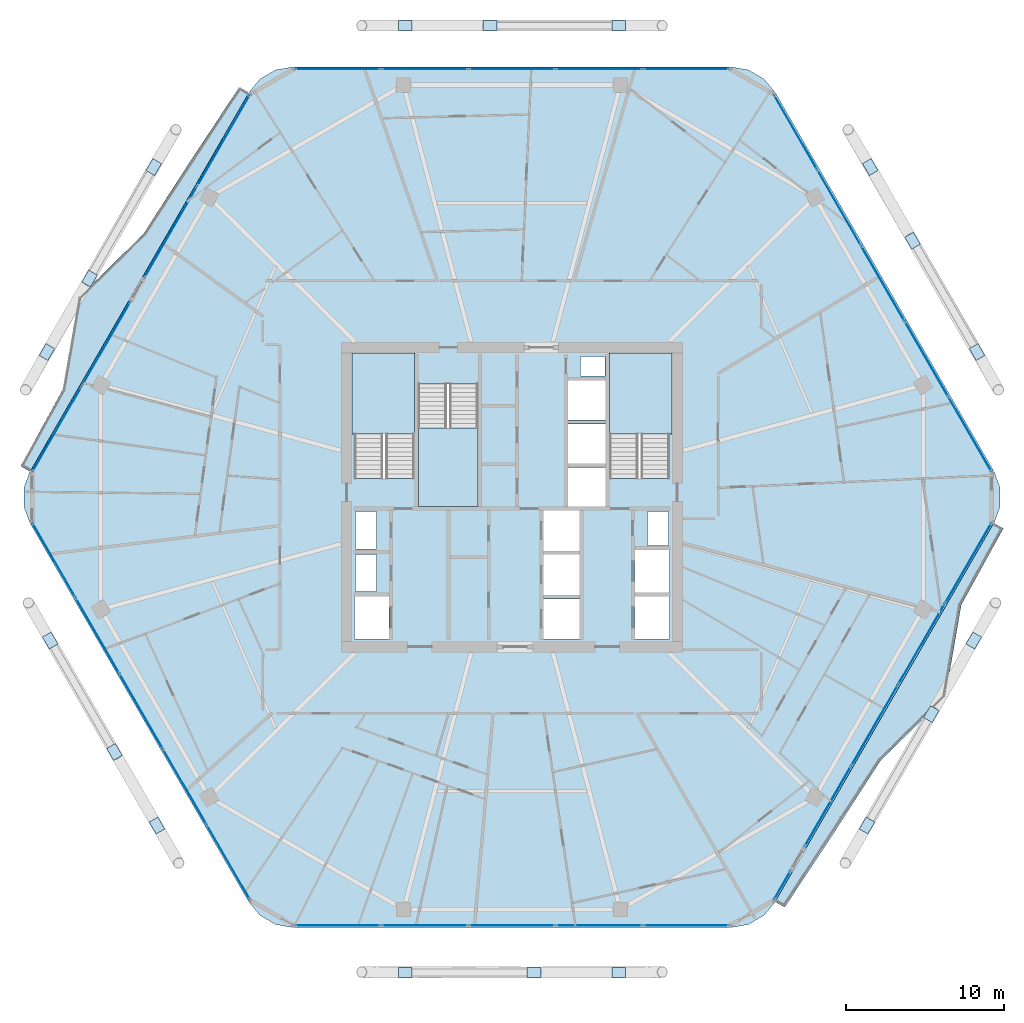
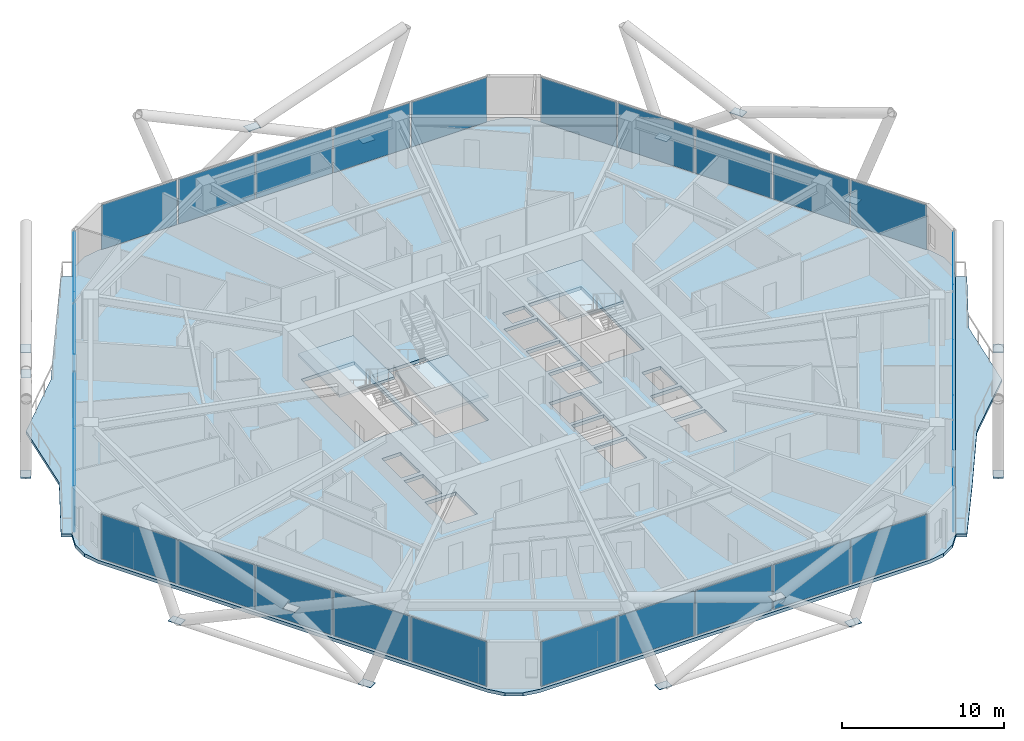
# One storey, part 19 of 28: 47 plates, 6 slabs, 11 elements without a shape of their own.
"""IFC4 building model written with IfcOpenShell, lengths in metres."""

from ifc_helpers import new_model, si_unit, direction, frame, origin, origin_2d, place, context, subcontext, project, spatial, polyline, rectangle, outline, extrude, material, layer, layer_set, type_object, element, aggregate, save


model = new_model("IFC4")

# Units and contexts
model_context = context("Model", 3, precision=1e-05, world=origin(), true_north=direction((0.0, 1.0)))
body_context = subcontext(model_context, "Body", "Model", "MODEL_VIEW")
ifc_project = project(units=[si_unit("LENGTHUNIT", "METRE"), si_unit("AREAUNIT", "SQUARE_METRE"), si_unit("VOLUMEUNIT", "CUBIC_METRE"), si_unit("PLANEANGLEUNIT", "RADIAN"), si_unit("MASSUNIT", "GRAM", prefix="KILO")], contexts=[model_context])

# Site, building, storey
site_placement = place(None, origin())
site = spatial("IfcSite", under=ifc_project, at=site_placement, CompositionType="ELEMENT")
building_placement = place(site_placement, origin())
building = spatial("IfcBuilding", under=site, at=building_placement, Name="Zuhravey Tower", CompositionType="ELEMENT")
storey_placement = place(building_placement, frame((0.0, 0.0, 199.800048828125)))
storey = spatial("IfcBuildingStorey", under=building, at=storey_placement, Name="L50", CompositionType="ELEMENT", Elevation=199.800048828125)

# Plates
ifc_material_1 = material(Name="Steel SM460", Category="steel")
ifc_layer_1 = layer(ifc_material_1, 0.035888671875)
ifc_layer_set_1 = layer_set([ifc_layer_1], Name="Steel SM460")
plate_type_1 = type_object("IfcPlateType", Name="Exoskeleton Zone 2 Node Plate ND2", PredefinedType="SHEET", material=ifc_layer_set_1)
for number, where, z_axis, x_axis, name in (
    (1, (65.52978515625, 41.218994140625, -0.48193359375), (0.0, 0.0, 1.0), (-0.5, 0.866025403784, 0.0), "L50 Exoskeleton Node Gusset L50-01"),
    (2, (58.748779296875, 52.964111328125, -0.48193359375), (0.0, 0.0, 1.0), (-0.5, 0.866025403784, 0.0), "L50 Exoskeleton Node Gusset L50-02"),
    (3, (42.781005859375, 61.943115234375, -0.48193359375), (0.0, 0.0, 1.0), (-1.0, 0.0, 0.0), "L50 Exoskeleton Node Gusset L50-03"),
    (4, (29.218994140625, 61.943115234375, -0.48193359375), (0.0, 0.0, 1.0), (-1.0, 0.0, 0.0), "L50 Exoskeleton Node Gusset L50-04"),
    (5, (13.251220703125, 52.964111328125, -0.48193359375), (0.0, 0.0, 1.0), (-0.5, -0.866025403784, 0.0), "L50 Exoskeleton Node Gusset L50-05"),
    (6, (6.47021484375, 41.218994140625, -0.48193359375), (0.0, 0.0, 1.0), (-0.5, -0.866025403784, 0.0), "L50 Exoskeleton Node Gusset L50-06"),
    (7, (6.677978515625, 22.90087890625, -0.48193359375), (0.0, 0.0, 1.0), (0.5, -0.866025403784, 0.0), "L50 Exoskeleton Node Gusset L50-07"),
    (8, (13.458984375, 11.156005859375, -0.48193359375), (0.0, 0.0, 1.0), (0.5, -0.866025403784, 0.0), "L50 Exoskeleton Node Gusset L50-08"),
    (9, (29.218994140625, 1.81689453125, -0.48193359375), (0.0, 0.0, 1.0), (1.0, 0.0, 0.0), "L50 Exoskeleton Node Gusset L50-09"),
    (10, (42.781005859375, 1.81689453125, -0.48193359375), (0.0, 0.0, 1.0), (1.0, 0.0, 0.0), "L50 Exoskeleton Node Gusset L50-10"),
    (11, (58.541015625, 11.156005859375, -0.48193359375), (0.0, 0.0, 1.0), (0.5, 0.866025403784, 0.0), "L50 Exoskeleton Node Gusset L50-11"),
    (12, (65.322021484375, 22.90087890625, -0.48193359375), (0.0, 0.0, 1.0), (0.5, 0.866025403784, 0.0), "L50 Exoskeleton Node Gusset L50-12"),
    (13, (61.432861328125, 48.28515625, 3.31787109375), (0.0, 0.0, 1.0), (-0.5, 0.866025403784, 0.0), "L50 Face 1 Diagrid X-Crossing Plate"),
    (14, (34.613037109375, 61.943115234375, 3.31787109375), (0.0, 0.0, 1.0), (-1.0, 0.0, 0.0), "L50 Face 2 Diagrid X-Crossing Plate"),
    (15, (9.18017578125, 45.8828125, 3.31787109375), (0.0, 0.0, 1.0), (-0.5, -0.866025403784, 0.0), "L50 Face 3 Diagrid X-Crossing Plate"),
    (16, (10.761962890625, 15.8271484375, 3.31787109375), (0.0, 0.0, 1.0), (0.5, -0.866025403784, 0.0), "L50 Face 4 Diagrid X-Crossing Plate"),
    (17, (37.386962890625, 1.831787109375, 3.31787109375), (0.0, 0.0, 1.0), (1.0, 0.0, 0.0), "L50 Face 5 Diagrid X-Crossing Plate"),
    (18, (62.625, 18.2294921875, 3.31787109375), (0.0, 0.0, 1.0), (0.5, 0.866025403784, 0.0), "L50 Face 6 Diagrid X-Crossing Plate"),
):
    element("IfcPlate", number, at=place(storey_placement, frame(where, z_axis=z_axis, x_axis=x_axis)), inside=storey, type_object=plate_type_1, Name=name, PredefinedType="SHEET", context=body_context, shape_type="SweptSolid", body=[
        extrude(rectangle(XDim=0.8798828125, YDim=0.639892578125, at=origin_2d()), origin(), (0.0, 0.0, 1.0), 0.035888671875),
    ])

# Slabs
ifc_material_2 = material(Name="Concrete C50/60", Category="concrete")
ifc_layer_2 = layer(ifc_material_2, 0.25)
ifc_layer_set_2 = layer_set([ifc_layer_2], Name="Concrete C50/60")
slab_type_1 = type_object("IfcSlabType", Name="Residential Acoustic Slab 250", PredefinedType="FLOOR", material=ifc_layer_set_2)
slab_1_placement = place(storey_placement, frame((0.0, 0.0, -0.25)))
element("IfcSlab", 19, at=slab_1_placement, inside=storey, type_object=slab_type_1, Name="L50 Floor Slab FS25", PredefinedType="FLOOR", context=body_context, shape_type="SweptSolid", body=[
    extrude(outline(polyline([(66.61181640625, 30.375), (66.997802734375, 31.435546875), (66.997802734375, 32.564453125), (66.61181640625, 33.625), (52.713134765625, 57.697998046875), (51.98779296875, 58.562744140625), (51.01025390625, 59.127197265625), (49.898681640625, 59.322998046875), (22.101318359375, 59.322998046875), (20.98974609375, 59.127197265625), (20.01220703125, 58.562744140625), (19.286865234375, 57.697998046875), (5.38818359375, 33.625), (5.002197265625, 32.564453125), (5.002197265625, 31.435546875), (5.38818359375, 30.375), (19.286865234375, 6.302001953125), (20.01220703125, 5.437255859375), (20.98974609375, 4.872802734375), (22.101318359375, 4.677001953125), (49.898681640625, 4.677001953125), (51.01025390625, 4.872802734375), (51.98779296875, 5.437255859375), (52.713134765625, 6.302001953125), (66.61181640625, 30.375)]), holes=[polyline([(29.800048828125, 33.20068359375), (29.800048828125, 41.0), (26.0, 41.0), (26.0, 33.20068359375), (29.800048828125, 33.20068359375)]), polyline([(46.0, 33.20068359375), (46.0, 41.0), (42.199951171875, 41.0), (42.199951171875, 33.20068359375), (46.0, 33.20068359375)]), polyline([(30.050048828125, 39.199462890625), (30.050048828125, 31.39990234375), (33.85009765625, 31.39990234375), (33.85009765625, 39.199462890625), (30.050048828125, 39.199462890625)]), polyline([(38.0, 23.0), (40.300048828125, 23.0), (40.300048828125, 25.550048828125), (38.0, 25.550048828125), (38.0, 23.0)]), polyline([(38.0, 25.800048828125), (40.300048828125, 25.800048828125), (40.300048828125, 28.35009765625), (38.0, 28.35009765625), (38.0, 25.800048828125)]), polyline([(38.0, 28.60009765625), (40.300048828125, 28.60009765625), (40.300048828125, 31.14990234375), (38.0, 31.14990234375), (38.0, 28.60009765625)]), polyline([(39.550048828125, 31.39990234375), (41.949951171875, 31.39990234375), (41.949951171875, 33.89990234375), (39.550048828125, 33.89990234375), (39.550048828125, 31.39990234375)]), polyline([(39.550048828125, 34.14990234375), (41.949951171875, 34.14990234375), (41.949951171875, 36.64990234375), (39.550048828125, 36.64990234375), (39.550048828125, 34.14990234375)]), polyline([(39.550048828125, 36.89990234375), (41.949951171875, 36.89990234375), (41.949951171875, 39.39990234375), (39.550048828125, 39.39990234375), (39.550048828125, 36.89990234375)]), polyline([(26.0, 23.0), (28.199951171875, 23.0), (28.199951171875, 25.699951171875), (26.0, 25.699951171875), (26.0, 23.0)]), polyline([(43.800048828125, 23.0), (46.0, 23.0), (46.0, 25.699951171875), (43.800048828125, 25.699951171875), (43.800048828125, 23.0)]), polyline([(43.800048828125, 25.949951171875), (46.0, 25.949951171875), (46.0, 28.64990234375), (43.800048828125, 28.64990234375), (43.800048828125, 25.949951171875)]), polyline([(26.050048828125, 26.0), (27.39990234375, 26.0), (27.39990234375, 28.35009765625), (26.050048828125, 28.35009765625), (26.050048828125, 26.0)]), polyline([(26.050048828125, 28.699951171875), (27.39990234375, 28.699951171875), (27.39990234375, 31.10009765625), (26.050048828125, 31.10009765625), (26.050048828125, 28.699951171875)]), polyline([(44.60009765625, 28.949951171875), (45.949951171875, 28.949951171875), (45.949951171875, 31.10009765625), (44.60009765625, 31.10009765625), (44.60009765625, 28.949951171875)]), polyline([(40.35009765625, 39.699951171875), (41.89990234375, 39.699951171875), (41.89990234375, 40.949951171875), (40.35009765625, 40.949951171875), (40.35009765625, 39.699951171875)])]), origin(), (0.0, 0.0, 1.0), 0.25),
])
ifc_material_3 = material(Name="Concrete C40/50", Category="concrete")
ifc_layer_3 = layer(ifc_material_3, 0.219970703125)
ifc_layer_set_3 = layer_set([ifc_layer_3], Name="Concrete C40/50")
slab_type_2 = type_object("IfcSlabType", Name="Sinusoidal Residential Wave Balcony 220", PredefinedType="FLOOR", material=ifc_layer_set_3)
slab_2_placement = place(storey_placement, frame((0.0, 0.0, -0.219970703125)))
element("IfcSlab", 20, at=slab_2_placement, inside=storey, type_object=slab_type_2, Name="L50 Face 3 Wave Balcony WB22", PredefinedType="FLOOR", context=body_context, shape_type="SweptSolid", body=[
    extrude(outline(polyline([(19.29541015625, 57.68310546875), (5.405517578125, 33.625), (4.79931640625, 33.97509765625), (7.477294921875, 38.844482421875), (8.485107421875, 44.677978515625), (12.59912109375, 48.71826171875), (15.6142578125, 53.39306640625), (18.689208984375, 58.033203125), (19.29541015625, 57.68310546875)])), origin(), (0.0, 0.0, 1.0), 0.219970703125),
])
slab_3_placement = place(storey_placement, frame((0.0, 0.0, -0.219970703125)))
element("IfcSlab", 21, at=slab_3_placement, inside=storey, type_object=slab_type_2, Name="L50 Face 6 Wave Balcony WB22", PredefinedType="FLOOR", context=body_context, shape_type="SweptSolid", body=[
    extrude(outline(polyline([(52.70458984375, 6.31689453125), (66.594482421875, 30.375), (67.20068359375, 30.02490234375), (64.522705078125, 25.155517578125), (63.514892578125, 19.322021484375), (59.40087890625, 15.28173828125), (56.3857421875, 10.60693359375), (53.310791015625, 5.966796875), (52.70458984375, 6.31689453125)])), origin(), (0.0, 0.0, 1.0), 0.219970703125),
])

# Stair, slab
stair_type = type_object("IfcStairType", Name="Housing Storey Stair Assembly 3800", PredefinedType="HALF_TURN_STAIR", material=ifc_material_3)
stair_1_placement = place(storey_placement, origin())
stair_1 = element("IfcStair", 22, at=stair_1_placement, inside=storey, type_object=stair_type, Name="L50 Core Exit Stair ST1", PredefinedType="HALF_TURN_STAIR")
ifc_layer_4 = layer(ifc_material_3, 0.199951171875)
ifc_layer_set_4 = layer_set([ifc_layer_4], Name="Concrete C40/50")
slab_type_3 = type_object("IfcSlabType", Name="Stair Landing Slab 200", PredefinedType="LANDING", material=ifc_layer_set_4)
slab_4_placement = place(storey_placement, frame((0.0, 0.0, 1.699951171875)))
slab_4 = element("IfcSlab", 23, at=slab_4_placement, type_object=slab_type_3, Name="ST1 landing 1", PredefinedType="LANDING", context=body_context, shape_type="SweptSolid", body=[
    extrude(outline(polyline([(29.800048828125, 36.0), (29.800048828125, 41.14794921875), (25.85205078125, 41.14794921875), (25.85205078125, 36.0), (29.800048828125, 36.0)])), origin(), (0.0, 0.0, 1.0), 0.199951171875),
])
aggregate(stair_1, [slab_4])

stair_2_placement = place(storey_placement, origin())
stair_2 = element("IfcStair", 24, at=stair_2_placement, inside=storey, type_object=stair_type, Name="L50 Core Exit Stair ST2", PredefinedType="HALF_TURN_STAIR")
slab_5_placement = place(storey_placement, frame((0.0, 0.0, 1.699951171875)))
slab_5 = element("IfcSlab", 25, at=slab_5_placement, type_object=slab_type_3, Name="ST2 landing 1", PredefinedType="LANDING", context=body_context, shape_type="SweptSolid", body=[
    extrude(outline(polyline([(46.14794921875, 36.0), (46.14794921875, 41.14794921875), (42.199951171875, 41.14794921875), (42.199951171875, 36.0), (46.14794921875, 36.0)])), origin(), (0.0, 0.0, 1.0), 0.199951171875),
])
aggregate(stair_2, [slab_5])

stair_3_placement = place(storey_placement, origin())
stair_3 = element("IfcStair", 26, at=stair_3_placement, inside=storey, type_object=stair_type, Name="L50 Core Exit Stair ST3", PredefinedType="HALF_TURN_STAIR")
slab_6_placement = place(storey_placement, frame((0.0, 0.0, 1.699951171875)))
slab_6 = element("IfcSlab", 27, at=slab_6_placement, type_object=slab_type_3, Name="ST3 landing 1", PredefinedType="LANDING", context=body_context, shape_type="SweptSolid", body=[
    extrude(outline(polyline([(30.050048828125, 36.39990234375), (30.050048828125, 31.39990234375), (33.85009765625, 31.39990234375), (33.85009765625, 36.39990234375), (30.050048828125, 36.39990234375)])), origin(), (0.0, 0.0, 1.0), 0.199951171875),
])
aggregate(stair_3, [slab_6])

# Curtain wall, plates
ifc_material_4 = material(Name="Thermally broken anodised aluminium", Category="aluminium")
curtain_wall_type = type_object("IfcCurtainWallType", Name="Zone 1-2 Residential Curtain Wall CW3", PredefinedType="NOTDEFINED", material=ifc_material_4)
curtain_wall_1_placement = place(storey_placement, origin())
curtain_wall_1 = element("IfcCurtainWall", 28, at=curtain_wall_1_placement, inside=storey, type_object=curtain_wall_type, Name="L50 CW3 CW-L50-F6-1", PredefinedType="NOTDEFINED")
ifc_material_5 = material(Name="Triple low-E insulated vision glass", Category="glass")
ifc_layer_5 = layer(ifc_material_5, 0.0419921875)
ifc_layer_set_5 = layer_set([ifc_layer_5], Name="Triple low-E insulated vision glass")
plate_type_2 = type_object("IfcPlateType", Name="Triple Low-E Vision Panel", PredefinedType="CURTAIN_PANEL", material=ifc_layer_set_5)
plate_1_placement = place(storey_placement, frame((64.971435546875, 27.813720703125, 0.08984375), z_axis=(0.0, 0.0, 1.0), x_axis=(-0.500000256078, -0.866025255938, 0.0)))
plate_1 = element("IfcPlate", 29, at=plate_1_placement, type_object=plate_type_2, Name="CW3 panel 1.1", PredefinedType="CURTAIN_PANEL", context=body_context, shape_type="SweptSolid", body=[
    extrude(rectangle(XDim=5.82177734375, YDim=0.0419921875, at=origin_2d()), origin(), (0.0, 0.0, 1.0), 3.3701171875),
])
plate_2_placement = place(storey_placement, frame((62.00439453125, 22.674560546875, 0.08984375), z_axis=(0.0, 0.0, 1.0), x_axis=(-0.500000256078, -0.866025255938, 0.0)))
plate_2 = element("IfcPlate", 30, at=plate_2_placement, type_object=plate_type_2, Name="CW3 panel 2.1", PredefinedType="CURTAIN_PANEL", context=body_context, shape_type="SweptSolid", body=[
    extrude(rectangle(XDim=5.86669921875, YDim=0.0419921875, at=origin_2d()), origin(), (0.0, 0.0, 1.0), 3.3701171875),
])
plate_3_placement = place(storey_placement, frame((59.02587890625, 17.515869140625, 0.08984375), z_axis=(0.0, 0.0, 1.0), x_axis=(-0.500000256078, -0.866025255938, 0.0)))
plate_3 = element("IfcPlate", 31, at=plate_3_placement, type_object=plate_type_2, Name="CW3 panel 3.1", PredefinedType="CURTAIN_PANEL", context=body_context, shape_type="SweptSolid", body=[
    extrude(rectangle(XDim=5.86669921875, YDim=0.0419921875, at=origin_2d()), origin(), (0.0, 0.0, 1.0), 3.3701171875),
])
plate_4_placement = place(storey_placement, frame((56.058837890625, 12.376708984375, 0.08984375), z_axis=(0.0, 0.0, 1.0), x_axis=(-0.500000256078, -0.866025255938, 0.0)))
plate_4 = element("IfcPlate", 32, at=plate_4_placement, type_object=plate_type_2, Name="CW3 panel 4.1", PredefinedType="CURTAIN_PANEL", context=body_context, shape_type="SweptSolid", body=[
    extrude(rectangle(XDim=5.82177734375, YDim=0.0419921875, at=origin_2d()), origin(), (0.0, 0.0, 1.0), 3.3701171875),
])
aggregate(curtain_wall_1, [plate_1, plate_2, plate_3, plate_4])

# Curtain wall, plate
curtain_wall_2_placement = place(storey_placement, origin())
curtain_wall_2 = element("IfcCurtainWall", 33, at=curtain_wall_2_placement, inside=storey, type_object=curtain_wall_type, Name="L50 CW3 CW-L50-F6-2", PredefinedType="NOTDEFINED")
plate_5_placement = place(storey_placement, frame((53.15966796875, 7.35498046875, 0.08984375), z_axis=(0.0, 0.0, 1.0), x_axis=(-0.500014235174, -0.866017184947, 0.0)))
plate_5 = element("IfcPlate", 34, at=plate_5_placement, type_object=plate_type_2, Name="CW3 panel 1.1", PredefinedType="CURTAIN_PANEL", context=body_context, shape_type="SweptSolid", body=[
    extrude(rectangle(XDim=2.015380859375, YDim=0.0419921875, at=origin_2d()), origin(), (0.0, 0.0, 1.0), 3.3701171875),
])
aggregate(curtain_wall_2, [plate_5])

# Curtain wall, plates
curtain_wall_3_placement = place(storey_placement, origin())
curtain_wall_3 = element("IfcCurtainWall", 35, at=curtain_wall_3_placement, inside=storey, type_object=curtain_wall_type, Name="L50 CW3 CW-L50-F5-1", PredefinedType="NOTDEFINED")
plate_6_placement = place(storey_placement, frame((47.06640625, 4.81689453125, 0.08984375), z_axis=(0.0, 0.0, 1.0), x_axis=(-1.0, 0.0, 0.0)))
plate_6 = element("IfcPlate", 36, at=plate_6_placement, type_object=plate_type_2, Name="CW3 panel 1.1", PredefinedType="CURTAIN_PANEL", context=body_context, shape_type="SweptSolid", body=[
    extrude(rectangle(XDim=5.409423828125, YDim=0.0419921875, at=origin_2d()), origin(), (0.0, 0.0, 1.0), 3.3701171875),
])
plate_7_placement = place(storey_placement, frame((41.54443359375, 4.81689453125, 0.08984375), z_axis=(0.0, 0.0, 1.0), x_axis=(-1.0, 0.0, 0.0)))
plate_7 = element("IfcPlate", 37, at=plate_7_placement, type_object=plate_type_2, Name="CW3 panel 2.1", PredefinedType="CURTAIN_PANEL", context=body_context, shape_type="SweptSolid", body=[
    extrude(rectangle(XDim=5.454345703125, YDim=0.0419921875, at=origin_2d()), origin(), (0.0, 0.0, 1.0), 3.3701171875),
])
plate_8_placement = place(storey_placement, frame((36.0, 4.81689453125, 0.08984375), z_axis=(0.0, 0.0, 1.0), x_axis=(-1.0, 0.0, 0.0)))
plate_8 = element("IfcPlate", 38, at=plate_8_placement, type_object=plate_type_2, Name="CW3 panel 3.1", PredefinedType="CURTAIN_PANEL", context=body_context, shape_type="SweptSolid", body=[
    extrude(rectangle(XDim=5.454345703125, YDim=0.0419921875, at=origin_2d()), origin(), (0.0, 0.0, 1.0), 3.3701171875),
])
plate_9_placement = place(storey_placement, frame((30.45556640625, 4.81689453125, 0.08984375), z_axis=(0.0, 0.0, 1.0), x_axis=(-1.0, 0.0, 0.0)))
plate_9 = element("IfcPlate", 39, at=plate_9_placement, type_object=plate_type_2, Name="CW3 panel 4.1", PredefinedType="CURTAIN_PANEL", context=body_context, shape_type="SweptSolid", body=[
    extrude(rectangle(XDim=5.454345703125, YDim=0.0419921875, at=origin_2d()), origin(), (0.0, 0.0, 1.0), 3.3701171875),
])
plate_10_placement = place(storey_placement, frame((24.93359375, 4.81689453125, 0.08984375), z_axis=(0.0, 0.0, 1.0), x_axis=(-1.0, 0.0, 0.0)))
plate_10 = element("IfcPlate", 40, at=plate_10_placement, type_object=plate_type_2, Name="CW3 panel 5.1", PredefinedType="CURTAIN_PANEL", context=body_context, shape_type="SweptSolid", body=[
    extrude(rectangle(XDim=5.409423828125, YDim=0.0419921875, at=origin_2d()), origin(), (0.0, 0.0, 1.0), 3.3701171875),
])
aggregate(curtain_wall_3, [plate_6, plate_7, plate_8, plate_9, plate_10])

curtain_wall_4_placement = place(storey_placement, origin())
curtain_wall_4 = element("IfcCurtainWall", 41, at=curtain_wall_4_placement, inside=storey, type_object=curtain_wall_type, Name="L50 CW3 CW-L50-F4-1", PredefinedType="NOTDEFINED")
plate_11_placement = place(storey_placement, frame((17.991943359375, 8.82470703125, 0.08984375), z_axis=(0.0, 0.0, 1.0), x_axis=(-0.500000459979, 0.866025138215, 0.0)))
plate_11 = element("IfcPlate", 42, at=plate_11_placement, type_object=plate_type_2, Name="CW3 panel 1.1", PredefinedType="CURTAIN_PANEL", context=body_context, shape_type="SweptSolid", body=[
    extrude(rectangle(XDim=5.409423828125, YDim=0.0419921875, at=origin_2d()), origin(), (0.0, 0.0, 1.0), 3.3701171875),
])
plate_12_placement = place(storey_placement, frame((15.23095703125, 13.60693359375, 0.08984375), z_axis=(0.0, 0.0, 1.0), x_axis=(-0.500000459979, 0.866025138215, 0.0)))
plate_12 = element("IfcPlate", 43, at=plate_12_placement, type_object=plate_type_2, Name="CW3 panel 2.1", PredefinedType="CURTAIN_PANEL", context=body_context, shape_type="SweptSolid", body=[
    extrude(rectangle(XDim=5.454345703125, YDim=0.0419921875, at=origin_2d()), origin(), (0.0, 0.0, 1.0), 3.3701171875),
])
plate_13_placement = place(storey_placement, frame((12.458740234375, 18.408447265625, 0.08984375), z_axis=(0.0, 0.0, 1.0), x_axis=(-0.500000459979, 0.866025138215, 0.0)))
plate_13 = element("IfcPlate", 44, at=plate_13_placement, type_object=plate_type_2, Name="CW3 panel 3.1", PredefinedType="CURTAIN_PANEL", context=body_context, shape_type="SweptSolid", body=[
    extrude(rectangle(XDim=5.454345703125, YDim=0.0419921875, at=origin_2d()), origin(), (0.0, 0.0, 1.0), 3.3701171875),
])
plate_14_placement = place(storey_placement, frame((9.6865234375, 23.2099609375, 0.08984375), z_axis=(0.0, 0.0, 1.0), x_axis=(-0.500000459979, 0.866025138215, 0.0)))
plate_14 = element("IfcPlate", 45, at=plate_14_placement, type_object=plate_type_2, Name="CW3 panel 4.1", PredefinedType="CURTAIN_PANEL", context=body_context, shape_type="SweptSolid", body=[
    extrude(rectangle(XDim=5.454345703125, YDim=0.0419921875, at=origin_2d()), origin(), (0.0, 0.0, 1.0), 3.3701171875),
])
plate_15_placement = place(storey_placement, frame((6.925537109375, 27.9921875, 0.08984375), z_axis=(0.0, 0.0, 1.0), x_axis=(-0.500000459979, 0.866025138215, 0.0)))
plate_15 = element("IfcPlate", 46, at=plate_15_placement, type_object=plate_type_2, Name="CW3 panel 5.1", PredefinedType="CURTAIN_PANEL", context=body_context, shape_type="SweptSolid", body=[
    extrude(rectangle(XDim=5.409423828125, YDim=0.0419921875, at=origin_2d()), origin(), (0.0, 0.0, 1.0), 3.3701171875),
])
aggregate(curtain_wall_4, [plate_11, plate_12, plate_13, plate_14, plate_15])

curtain_wall_5_placement = place(storey_placement, origin())
curtain_wall_5 = element("IfcCurtainWall", 47, at=curtain_wall_5_placement, inside=storey, type_object=curtain_wall_type, Name="L50 CW3 CW-L50-F3-1", PredefinedType="NOTDEFINED")
plate_16_placement = place(storey_placement, frame((7.10498046875, 36.318603515625, 0.08984375), z_axis=(0.0, 0.0, 1.0), x_axis=(0.500002605581, 0.866023899446, 0.0)))
plate_16 = element("IfcPlate", 48, at=plate_16_placement, type_object=plate_type_2, Name="CW3 panel 1.1", PredefinedType="CURTAIN_PANEL", context=body_context, shape_type="SweptSolid", body=[
    extrude(rectangle(XDim=6.126953125, YDim=0.0419921875, at=origin_2d()), origin(), (0.0, 0.0, 1.0), 3.3701171875),
])
plate_17_placement = place(storey_placement, frame((10.213623046875, 41.70263671875, 0.08984375), z_axis=(0.0, 0.0, 1.0), x_axis=(0.500002605581, 0.866023899446, 0.0)))
plate_17 = element("IfcPlate", 49, at=plate_17_placement, type_object=plate_type_2, Name="CW3 panel 2.1", PredefinedType="CURTAIN_PANEL", context=body_context, shape_type="SweptSolid", body=[
    extrude(rectangle(XDim=6.126953125, YDim=0.0419921875, at=origin_2d()), origin(), (0.0, 0.0, 1.0), 3.3701171875),
])
aggregate(curtain_wall_5, [plate_16, plate_17])

curtain_wall_6_placement = place(storey_placement, origin())
curtain_wall_6 = element("IfcCurtainWall", 50, at=curtain_wall_6_placement, inside=storey, type_object=curtain_wall_type, Name="L50 CW3 CW-L50-F3-2", PredefinedType="NOTDEFINED")
plate_18_placement = place(storey_placement, frame((14.3388671875, 48.847900390625, 0.08984375), z_axis=(0.0, 0.0, 1.0), x_axis=(0.499997141722, 0.866027054006, 0.0)))
plate_18 = element("IfcPlate", 51, at=plate_18_placement, type_object=plate_type_2, Name="CW3 panel 1.1", PredefinedType="CURTAIN_PANEL", context=body_context, shape_type="SweptSolid", body=[
    extrude(rectangle(XDim=6.614013671875, YDim=0.0419921875, at=origin_2d()), origin(), (0.0, 0.0, 1.0), 3.3701171875),
])
plate_19_placement = place(storey_placement, frame((17.69091796875, 54.65380859375, 0.08984375), z_axis=(0.0, 0.0, 1.0), x_axis=(0.499997141722, 0.866027054006, 0.0)))
plate_19 = element("IfcPlate", 52, at=plate_19_placement, type_object=plate_type_2, Name="CW3 panel 2.1", PredefinedType="CURTAIN_PANEL", context=body_context, shape_type="SweptSolid", body=[
    extrude(rectangle(XDim=6.614013671875, YDim=0.0419921875, at=origin_2d()), origin(), (0.0, 0.0, 1.0), 3.3701171875),
])
aggregate(curtain_wall_6, [plate_18, plate_19])

curtain_wall_7_placement = place(storey_placement, origin())
curtain_wall_7 = element("IfcCurtainWall", 53, at=curtain_wall_7_placement, inside=storey, type_object=curtain_wall_type, Name="L50 CW3 CW-L50-F2-1", PredefinedType="NOTDEFINED")
plate_20_placement = place(storey_placement, frame((24.93359375, 59.18310546875, 0.08984375), z_axis=(0.0, 0.0, 1.0), x_axis=(1.0, 0.0, 0.0)))
plate_20 = element("IfcPlate", 54, at=plate_20_placement, type_object=plate_type_2, Name="CW3 panel 1.1", PredefinedType="CURTAIN_PANEL", context=body_context, shape_type="SweptSolid", body=[
    extrude(rectangle(XDim=5.409423828125, YDim=0.0419921875, at=origin_2d()), origin(), (0.0, 0.0, 1.0), 3.3701171875),
])
plate_21_placement = place(storey_placement, frame((30.45556640625, 59.18310546875, 0.08984375), z_axis=(0.0, 0.0, 1.0), x_axis=(1.0, 0.0, 0.0)))
plate_21 = element("IfcPlate", 55, at=plate_21_placement, type_object=plate_type_2, Name="CW3 panel 2.1", PredefinedType="CURTAIN_PANEL", context=body_context, shape_type="SweptSolid", body=[
    extrude(rectangle(XDim=5.454345703125, YDim=0.0419921875, at=origin_2d()), origin(), (0.0, 0.0, 1.0), 3.3701171875),
])
plate_22_placement = place(storey_placement, frame((36.0, 59.18310546875, 0.08984375), z_axis=(0.0, 0.0, 1.0), x_axis=(1.0, 0.0, 0.0)))
plate_22 = element("IfcPlate", 56, at=plate_22_placement, type_object=plate_type_2, Name="CW3 panel 3.1", PredefinedType="CURTAIN_PANEL", context=body_context, shape_type="SweptSolid", body=[
    extrude(rectangle(XDim=5.454345703125, YDim=0.0419921875, at=origin_2d()), origin(), (0.0, 0.0, 1.0), 3.3701171875),
])
plate_23_placement = place(storey_placement, frame((41.54443359375, 59.18310546875, 0.08984375), z_axis=(0.0, 0.0, 1.0), x_axis=(1.0, 0.0, 0.0)))
plate_23 = element("IfcPlate", 57, at=plate_23_placement, type_object=plate_type_2, Name="CW3 panel 4.1", PredefinedType="CURTAIN_PANEL", context=body_context, shape_type="SweptSolid", body=[
    extrude(rectangle(XDim=5.454345703125, YDim=0.0419921875, at=origin_2d()), origin(), (0.0, 0.0, 1.0), 3.3701171875),
])
plate_24_placement = place(storey_placement, frame((47.06640625, 59.18310546875, 0.08984375), z_axis=(0.0, 0.0, 1.0), x_axis=(1.0, 0.0, 0.0)))
plate_24 = element("IfcPlate", 58, at=plate_24_placement, type_object=plate_type_2, Name="CW3 panel 5.1", PredefinedType="CURTAIN_PANEL", context=body_context, shape_type="SweptSolid", body=[
    extrude(rectangle(XDim=5.409423828125, YDim=0.0419921875, at=origin_2d()), origin(), (0.0, 0.0, 1.0), 3.3701171875),
])
aggregate(curtain_wall_7, [plate_20, plate_21, plate_22, plate_23, plate_24])

curtain_wall_8_placement = place(storey_placement, origin())
curtain_wall_8 = element("IfcCurtainWall", 59, at=curtain_wall_8_placement, inside=storey, type_object=curtain_wall_type, Name="L50 CW3 CW-L50-F1-1", PredefinedType="NOTDEFINED")
plate_25_placement = place(storey_placement, frame((54.008056640625, 55.17529296875, 0.08984375), z_axis=(0.0, 0.0, 1.0), x_axis=(0.500000459979, -0.866025138215, 0.0)))
plate_25 = element("IfcPlate", 60, at=plate_25_placement, type_object=plate_type_2, Name="CW3 panel 1.1", PredefinedType="CURTAIN_PANEL", context=body_context, shape_type="SweptSolid", body=[
    extrude(rectangle(XDim=5.409423828125, YDim=0.0419921875, at=origin_2d()), origin(), (0.0, 0.0, 1.0), 3.3701171875),
])
plate_26_placement = place(storey_placement, frame((56.76904296875, 50.39306640625, 0.08984375), z_axis=(0.0, 0.0, 1.0), x_axis=(0.500000459979, -0.866025138215, 0.0)))
plate_26 = element("IfcPlate", 61, at=plate_26_placement, type_object=plate_type_2, Name="CW3 panel 2.1", PredefinedType="CURTAIN_PANEL", context=body_context, shape_type="SweptSolid", body=[
    extrude(rectangle(XDim=5.454345703125, YDim=0.0419921875, at=origin_2d()), origin(), (0.0, 0.0, 1.0), 3.3701171875),
])
plate_27_placement = place(storey_placement, frame((59.541259765625, 45.591552734375, 0.08984375), z_axis=(0.0, 0.0, 1.0), x_axis=(0.500000459979, -0.866025138215, 0.0)))
plate_27 = element("IfcPlate", 62, at=plate_27_placement, type_object=plate_type_2, Name="CW3 panel 3.1", PredefinedType="CURTAIN_PANEL", context=body_context, shape_type="SweptSolid", body=[
    extrude(rectangle(XDim=5.454345703125, YDim=0.0419921875, at=origin_2d()), origin(), (0.0, 0.0, 1.0), 3.3701171875),
])
plate_28_placement = place(storey_placement, frame((62.3134765625, 40.7900390625, 0.08984375), z_axis=(0.0, 0.0, 1.0), x_axis=(0.500000459979, -0.866025138215, 0.0)))
plate_28 = element("IfcPlate", 63, at=plate_28_placement, type_object=plate_type_2, Name="CW3 panel 4.1", PredefinedType="CURTAIN_PANEL", context=body_context, shape_type="SweptSolid", body=[
    extrude(rectangle(XDim=5.454345703125, YDim=0.0419921875, at=origin_2d()), origin(), (0.0, 0.0, 1.0), 3.3701171875),
])
plate_29_placement = place(storey_placement, frame((65.074462890625, 36.0078125, 0.08984375), z_axis=(0.0, 0.0, 1.0), x_axis=(0.500000459979, -0.866025138215, 0.0)))
plate_29 = element("IfcPlate", 64, at=plate_29_placement, type_object=plate_type_2, Name="CW3 panel 5.1", PredefinedType="CURTAIN_PANEL", context=body_context, shape_type="SweptSolid", body=[
    extrude(rectangle(XDim=5.409423828125, YDim=0.0419921875, at=origin_2d()), origin(), (0.0, 0.0, 1.0), 3.3701171875),
])
aggregate(curtain_wall_8, [plate_25, plate_26, plate_27, plate_28, plate_29])

save(model, "model.ifc")
